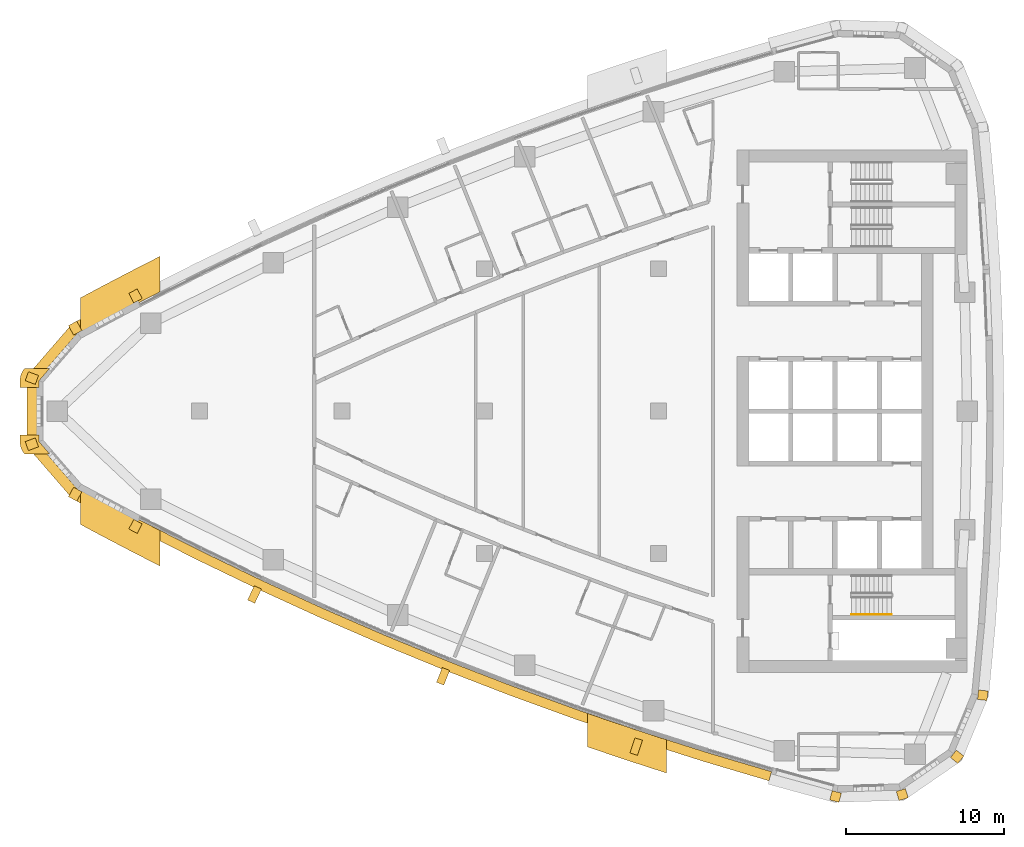
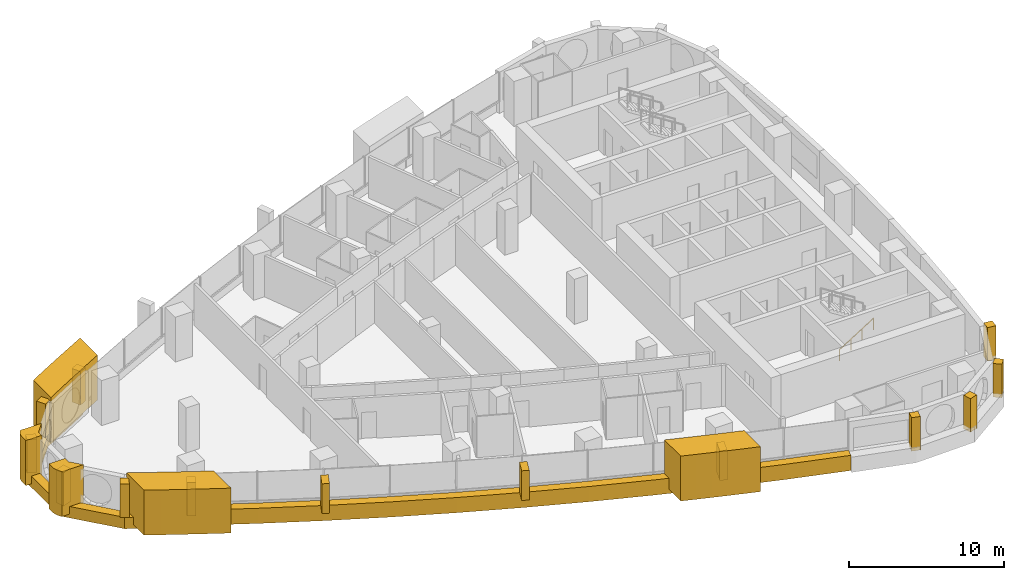
# One storey, part 14 of 17: 20 coverings, 1 railing.
"""IFC4 building model written with IfcOpenShell, lengths in metres."""

from ifc_helpers import new_model, si_unit, direction, frame, frame_2d, origin, origin_2d, place, context, subcontext, project, spatial, polyline, rectangle, circle, outline, extrude, material, layer, layer_set, type_object, element, save


model = new_model("IFC4")

# Units and contexts
model_context = context("Model", 3, precision=1e-05, world=origin(), true_north=direction((0.0, 1.0)))
body_context = subcontext(model_context, "Body", "Model", "MODEL_VIEW")
ifc_project = project(units=[si_unit("LENGTHUNIT", "METRE"), si_unit("AREAUNIT", "SQUARE_METRE"), si_unit("VOLUMEUNIT", "CUBIC_METRE"), si_unit("PLANEANGLEUNIT", "RADIAN"), si_unit("MASSUNIT", "GRAM", prefix="KILO")], contexts=[model_context])

# Site, building, storey
site_placement = place(None, origin())
site = spatial("IfcSite", under=ifc_project, at=site_placement, CompositionType="ELEMENT")
building_placement = place(site_placement, origin())
building = spatial("IfcBuilding", under=site, at=building_placement, Name="Ostrand Prow Hotel Tower", CompositionType="ELEMENT")
storey_placement = place(building_placement, frame((0.0, 0.0, 203.89990234375)))
storey = spatial("IfcBuildingStorey", under=building, at=storey_placement, Name="L51", CompositionType="ELEMENT", Elevation=203.89990234375)

# Coverings
ifc_material_1 = material(Name="Bronze anodised aluminium cladding", Category="aluminium")
ifc_layer_1 = layer(ifc_material_1, 0.60009765625)
ifc_layer_set_1 = layer_set([ifc_layer_1], Name="Bronze anodised aluminium cladding")
covering_type_1 = type_object("IfcCoveringType", Name="Bronze prow band 899x600", PredefinedType="CLADDING", material=ifc_layer_set_1)
covering_1_placement = place(storey_placement, frame((0.0, 0.0, -0.2998046875)))
element("IfcCovering", 1, at=covering_1_placement, inside=storey, type_object=covering_type_1, Name="Bronze prow band", PredefinedType="CLADDING", context=body_context, shape_type="SweptSolid", body=[
    extrude(outline(polyline([(11.8037109375, 7.58154296875), (7.9873046875, 5.546630859375), (5.09521484375, 2.20849609375), (5.09521484375, -2.20849609375), (7.9873046875, -5.546630859375), (11.8037109375, -7.58154296875), (12.117431640625, -6.978515625), (8.3134765625, -4.949951171875), (5.732421875, -1.970703125), (5.732421875, 1.970703125), (8.3134765625, 4.949951171875), (12.117431640625, 6.978515625), (11.8037109375, 7.58154296875)])), origin(), (0.0, 0.0, 1.0), 0.89990234375),
])
ifc_material_2 = material(Name="Bronze anodised aluminium cladding", Category="aluminium")
ifc_layer_2 = layer(ifc_material_2, 0.60009765625)
ifc_layer_set_2 = layer_set([ifc_layer_2], Name="Bronze anodised aluminium cladding")
covering_type_2 = type_object("IfcCoveringType", Name="Bronze spandrel band 1200x600", PredefinedType="CLADDING", material=ifc_layer_set_2)
covering_2_placement = place(storey_placement, frame((0.0, 0.0, -0.2998046875)))
element("IfcCovering", 2, at=covering_2_placement, inside=storey, type_object=covering_type_2, Name="Spandrel band S1", PredefinedType="CLADDING", context=body_context, shape_type="SweptSolid", body=[
    extrude(outline(polyline([(11.9052734375, -7.38623046875), (15.757568359375, -9.341796875), (19.648681640625, -11.219482421875), (23.57666015625, -13.0185546875), (27.5400390625, -14.738037109375), (31.537353515625, -16.37744140625), (35.566650390625, -17.93603515625), (39.626708984375, -19.4130859375), (43.7158203125, -20.80810546875), (47.831787109375, -22.12060546875), (51.9736328125, -23.35009765625), (52.138427734375, -22.773193359375), (48.00830078125, -21.547119140625), (43.90380859375, -20.23828125), (39.826171875, -18.84716796875), (35.777587890625, -17.374267578125), (31.759521484375, -15.820068359375), (27.773193359375, -14.185302734375), (23.821044921875, -12.470458984375), (19.90380859375, -10.676513671875), (16.023681640625, -8.80419921875), (12.18212890625, -6.85400390625), (11.9052734375, -7.38623046875)])), origin(), (0.0, 0.0, 1.0), 1.199951171875),
])
ifc_material_3 = material(Name="Limestone cladding", Category="masonry")
ifc_layer_3 = layer(ifc_material_3, 5.0)
ifc_layer_set_3 = layer_set([ifc_layer_3], Name="Limestone cladding")
covering_type_3 = type_object("IfcCoveringType", Name="Portal jamb pilaster limestone", PredefinedType="CLADDING", material=ifc_layer_set_3)
covering_3_placement = place(storey_placement, origin())
element("IfcCovering", 3, at=covering_3_placement, inside=storey, type_object=covering_type_3, Name="Portal jamb SA L51", PredefinedType="CLADDING", context=body_context, shape_type="SweptSolid", body=[
    extrude(outline(polyline([(8.5, -4.89208984375), (8.5, -7.1669921875), (9.5, -7.702392578125), (10.5, -8.231201171875), (11.5, -8.75341796875), (12.5, -9.268798828125), (13.5, -9.777587890625), (13.5, -7.533935546875), (12.5, -7.01904296875), (11.5, -6.497314453125), (10.5, -5.968994140625), (9.5, -5.43408203125), (8.5, -4.89208984375)])), origin(), (0.0, 0.0, 1.0), 3.550048828125),
])
covering_4_placement = place(storey_placement, origin())
element("IfcCovering", 4, at=covering_4_placement, inside=storey, type_object=covering_type_3, Name="Portal jamb SB L51", PredefinedType="CLADDING", context=body_context, shape_type="SweptSolid", body=[
    extrude(outline(polyline([(40.5, -19.08349609375), (40.5, -21.200439453125), (41.5, -21.542724609375), (42.5, -21.879638671875), (43.5, -22.211181640625), (44.5, -22.537109375), (45.5, -22.85791015625), (45.5, -20.75830078125), (44.5, -20.43408203125), (43.5, -20.104736328125), (42.5, -19.769775390625), (41.5, -19.429443359375), (40.5, -19.08349609375)])), origin(), (0.0, 0.0, 1.0), 3.550048828125),
])
covering_5_placement = place(storey_placement, origin())
element("IfcCovering", 5, at=covering_5_placement, inside=storey, type_object=covering_type_3, Name="Portal jamb NA L51", PredefinedType="CLADDING", context=body_context, shape_type="SweptSolid", body=[
    extrude(outline(polyline([(8.5, 4.89208984375), (9.5, 5.43408203125), (10.5, 5.968994140625), (11.5, 6.497314453125), (12.5, 7.01904296875), (13.5, 7.533935546875), (13.5, 9.777587890625), (12.5, 9.268798828125), (11.5, 8.75341796875), (10.5, 8.231201171875), (9.5, 7.702392578125), (8.5, 7.1669921875), (8.5, 4.89208984375)])), origin(), (0.0, 0.0, 1.0), 3.550048828125),
])
ifc_material_4 = material(Name="Limestone cladding", Category="masonry")
ifc_layer_4 = layer(ifc_material_4, 0.5)
ifc_layer_set_4 = layer_set([ifc_layer_4], Name="Limestone cladding")
covering_type_4 = type_object("IfcCoveringType", Name="Precast stone fin 500x900", PredefinedType="CLADDING", material=ifc_layer_set_4)
covering_6_placement = place(storey_placement, frame((19.691162109375, -11.129150390625, 0.900146484375), z_axis=(0.0, 0.0, 1.0), x_axis=(-0.425597120581, -0.904912753227, 0.0)))
element("IfcCovering", 6, at=covering_6_placement, inside=storey, type_object=covering_type_4, Name="Stone fin S 3", PredefinedType="CLADDING", context=body_context, shape_type="SweptSolid", body=[
    extrude(rectangle(XDim=0.999755859375, YDim=0.5, at=frame_2d((0.5, 0.0))), origin(), (0.0, 0.0, 1.0), 2.349853515625),
])
for number, where, z_axis, x_axis, name in (
    (7, (31.57421875, -16.284423828125, 0.900146484375), (0.0, 0.0, 1.0), (-0.37012750131, -0.9289809647, 0.0), "Stone fin S 6"),
    (8, (43.7470703125, -20.713134765625, 0.900146484375), (0.0, 0.0, 1.0), (-0.313443495886, -0.949606852801, 0.0), "Stone fin S 9"),
):
    element("IfcCovering", number, at=place(storey_placement, frame(where, z_axis=z_axis, x_axis=x_axis)), inside=storey, type_object=covering_type_4, Name=name, PredefinedType="CLADDING", context=body_context, shape_type="SweptSolid", body=[
        extrude(rectangle(XDim=1.0, YDim=0.5, at=frame_2d((0.5, 0.0))), origin(), (0.0, 0.0, 1.0), 2.349853515625),
    ])
ifc_material_5 = material(Name="Limestone cladding", Category="masonry")
ifc_layer_5 = layer(ifc_material_5, 0.60009765625)
ifc_layer_set_5 = layer_set([ifc_layer_5], Name="Limestone cladding")
covering_type_5 = type_object("IfcCoveringType", Name="Precast stone prow rib 600x600", PredefinedType="CLADDING", material=ifc_layer_set_5)
covering_7_placement = place(storey_placement, frame((12.117431640625, 6.978515625, 0.60009765625), z_axis=(0.0, 0.0, 1.0), x_axis=(-0.461522357319, 0.887128577882, 0.0)))
element("IfcCovering", 9, at=covering_7_placement, inside=storey, type_object=covering_type_5, Name="Stone prow rib 1", PredefinedType="CLADDING", context=body_context, shape_type="SweptSolid", body=[
    extrude(rectangle(XDim=0.6796875, YDim=0.60009765625, at=frame_2d((0.33984375, 0.0))), origin(), (0.0, 0.0, 1.0), 2.64990234375),
])
covering_8_placement = place(storey_placement, frame((8.3134765625, 4.949951171875, 0.60009765625), z_axis=(0.0, 0.0, 1.0), x_axis=(-0.479656876283, 0.877456141943, 0.0)))
element("IfcCovering", 10, at=covering_8_placement, inside=storey, type_object=covering_type_5, Name="Stone prow rib 2", PredefinedType="CLADDING", context=body_context, shape_type="SweptSolid", body=[
    extrude(rectangle(XDim=0.679931640625, YDim=0.60009765625, at=frame_2d((0.33984375, 0.0))), origin(), (0.0, 0.0, 1.0), 2.64990234375),
])
for number, where, z_axis, x_axis, name in (
    (11, (5.732421875, 1.970703125, 0.60009765625), (0.0, 0.0, 1.0), (-0.93688855374, 0.349628142277, 0.0), "Stone prow rib 3"),
    (12, (5.732421875, -1.970703125, 0.60009765625), (0.0, 0.0, 1.0), (-0.93688855374, -0.349628142277, 0.0), "Stone prow rib 4"),
):
    element("IfcCovering", number, at=place(storey_placement, frame(where, z_axis=z_axis, x_axis=x_axis)), inside=storey, type_object=covering_type_5, Name=name, PredefinedType="CLADDING", context=body_context, shape_type="SweptSolid", body=[
        extrude(rectangle(XDim=0.68017578125, YDim=0.60009765625, at=frame_2d((0.340087890625, 0.0))), origin(), (0.0, 0.0, 1.0), 2.64990234375),
    ])
covering_9_placement = place(storey_placement, frame((8.3134765625, -4.949951171875, 0.60009765625), z_axis=(0.0, 0.0, 1.0), x_axis=(-0.479656876283, -0.877456141943, 0.0)))
element("IfcCovering", 13, at=covering_9_placement, inside=storey, type_object=covering_type_5, Name="Stone prow rib 5", PredefinedType="CLADDING", context=body_context, shape_type="SweptSolid", body=[
    extrude(rectangle(XDim=0.679931640625, YDim=0.60009765625, at=frame_2d((0.33984375, 0.0))), origin(), (0.0, 0.0, 1.0), 2.64990234375),
])
covering_10_placement = place(storey_placement, frame((12.117431640625, -6.978515625, 0.60009765625), z_axis=(0.0, 0.0, 1.0), x_axis=(-0.461522357319, -0.887128577882, 0.0)))
element("IfcCovering", 14, at=covering_10_placement, inside=storey, type_object=covering_type_5, Name="Stone prow rib 6", PredefinedType="CLADDING", context=body_context, shape_type="SweptSolid", body=[
    extrude(rectangle(XDim=0.6796875, YDim=0.60009765625, at=frame_2d((0.33984375, 0.0))), origin(), (0.0, 0.0, 1.0), 2.64990234375),
])
for number, where, z_axis, x_axis, name in (
    (15, (56.256591796875, -24.05126953125, 0.60009765625), (0.0, 0.0, 1.0), (-0.255154261231, -0.966900358349, 0.0), "Stone corner rib 2a"),
    (16, (60.297607421875, -23.935302734375, 0.60009765625), (0.0, 0.0, 1.0), (0.310484329644, -0.950578498098, 0.0), "Stone corner rib 3a"),
    (17, (63.6279296875, -21.643798828125, 0.60009765625), (0.0, 0.0, 1.0), (0.776922530767, -0.62959620487, 0.0), "Stone corner rib 4a"),
    (18, (65.18017578125, -17.9111328125, 0.60009765625), (0.0, 0.0, 1.0), (0.994255138911, -0.107036062846, 0.0), "Stone corner rib 4b"),
):
    element("IfcCovering", number, at=place(storey_placement, frame(where, z_axis=z_axis, x_axis=x_axis)), inside=storey, type_object=covering_type_5, Name=name, PredefinedType="CLADDING", context=body_context, shape_type="SweptSolid", body=[
        extrude(rectangle(XDim=0.599853515625, YDim=0.60009765625, at=frame_2d((0.2998046875, 0.0))), origin(), (0.0, 0.0, 1.0), 2.64990234375),
    ])
ifc_material_6 = material(Name="Limestone cladding", Category="masonry")
ifc_layer_6 = layer(ifc_material_6, 3.0)
ifc_layer_set_6 = layer_set([ifc_layer_6], Name="Limestone cladding")
covering_type_6 = type_object("IfcCoveringType", Name="Prow nose pier limestone", PredefinedType="CLADDING", material=ifc_layer_set_6)
covering_11_placement = place(storey_placement, origin())
element("IfcCovering", 19, at=covering_11_placement, inside=storey, type_object=covering_type_6, Name="Prow spine fin N L51", PredefinedType="CLADDING", context=body_context, shape_type="SweptSolid", body=[
    extrude(outline(polyline([(4.663818359375, 1.921875), (4.663818359375, 1.5), (5.864013671875, 1.5), (5.864013671875, 1.921875), (6.5380859375, 2.699951171875), (4.950927734375, 2.699951171875), (4.881591796875, 2.611083984375), (4.816650390625, 2.507568359375), (4.762451171875, 2.39794921875), (4.719482421875, 2.283203125), (4.688720703125, 2.164794921875), (4.670166015625, 2.0439453125), (4.663818359375, 1.921875)])), origin(), (0.0, 0.0, 1.0), 3.550048828125),
])
covering_12_placement = place(storey_placement, origin())
element("IfcCovering", 20, at=covering_12_placement, inside=storey, type_object=covering_type_6, Name="Prow spine fin S L51", PredefinedType="CLADDING", context=body_context, shape_type="SweptSolid", body=[
    extrude(outline(polyline([(4.881591796875, -2.611083984375), (4.950927734375, -2.699951171875), (6.5380859375, -2.699951171875), (5.864013671875, -1.921875), (5.864013671875, -1.5), (4.663818359375, -1.5), (4.663818359375, -1.921875), (4.670166015625, -2.0439453125), (4.688720703125, -2.164794921875), (4.719482421875, -2.283203125), (4.762451171875, -2.39794921875), (4.816650390625, -2.507568359375), (4.881591796875, -2.611083984375)])), origin(), (0.0, 0.0, 1.0), 3.550048828125),
])

# Railing
ifc_material_7 = material(Name="Stainless steel", Category="steel")
railing_type = type_object("IfcRailingType", Name="Stair handrail 900", PredefinedType="HANDRAIL", material=ifc_material_7)
railing_placement = place(storey_placement, frame((57.199951171875, -12.85009765625, 0.177490234375)))
element("IfcRailing", 21, at=railing_placement, inside=storey, type_object=railing_type, Name="L51 ST2C stair handrail 1", PredefinedType="HANDRAIL", context=body_context, shape_type="SweptSolid", body=[
    extrude(circle(Radius=0.02392578125, at=origin_2d()), frame((0.0, 0.0, 0.8759765625), z_axis=(0.84456994832, 0.0, 0.535445237532), x_axis=(0.0, 1.0, 0.0)), (0.0, 0.0, 1.0), 2.98388671875),
    extrude(circle(Radius=0.02099609375, at=origin_2d()), origin(), (0.0, 0.0, 1.0), 0.851806640625),
    extrude(circle(Radius=0.02099609375, at=origin_2d()), frame((0.840087890625, 0.0, 0.532470703125)), (0.0, 0.0, 1.0), 0.851806640625),
    extrude(circle(Radius=0.02099609375, at=origin_2d()), frame((1.679931640625, 0.0, 1.065185546875)), (0.0, 0.0, 1.0), 0.851806640625),
    extrude(circle(Radius=0.02099609375, at=origin_2d()), frame((2.52001953125, 0.0, 1.59765625)), (0.0, 0.0, 1.0), 0.851806640625),
])

save(model, "model.ifc")
